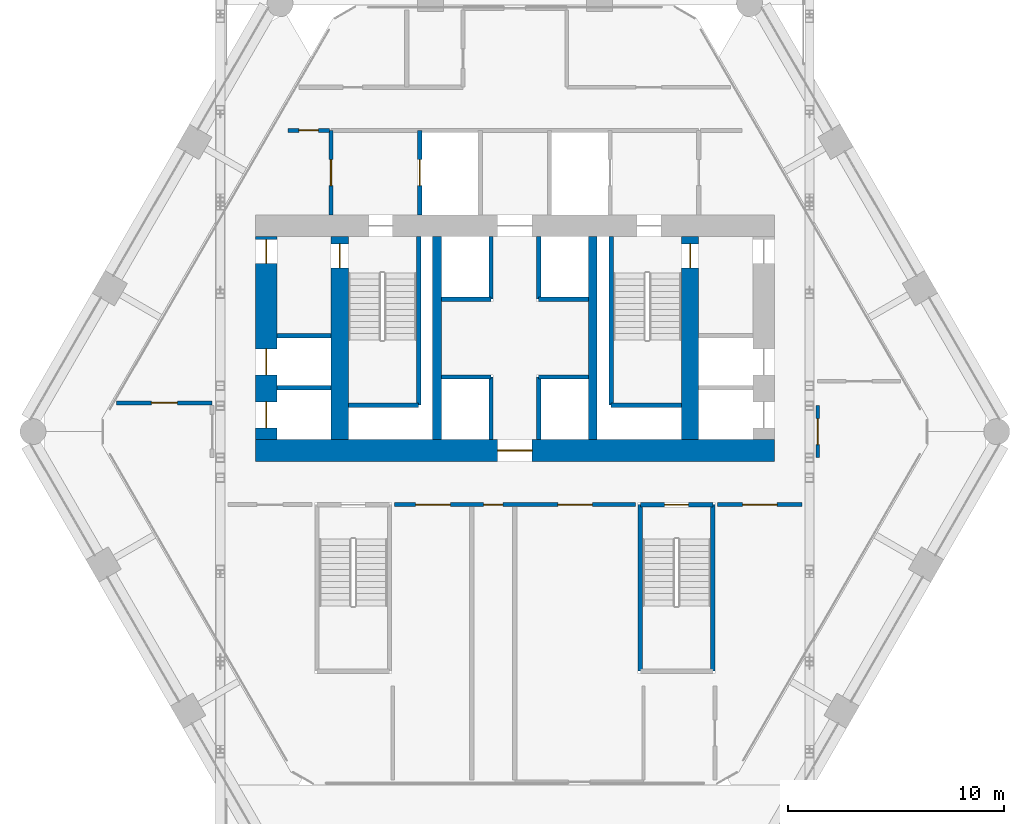
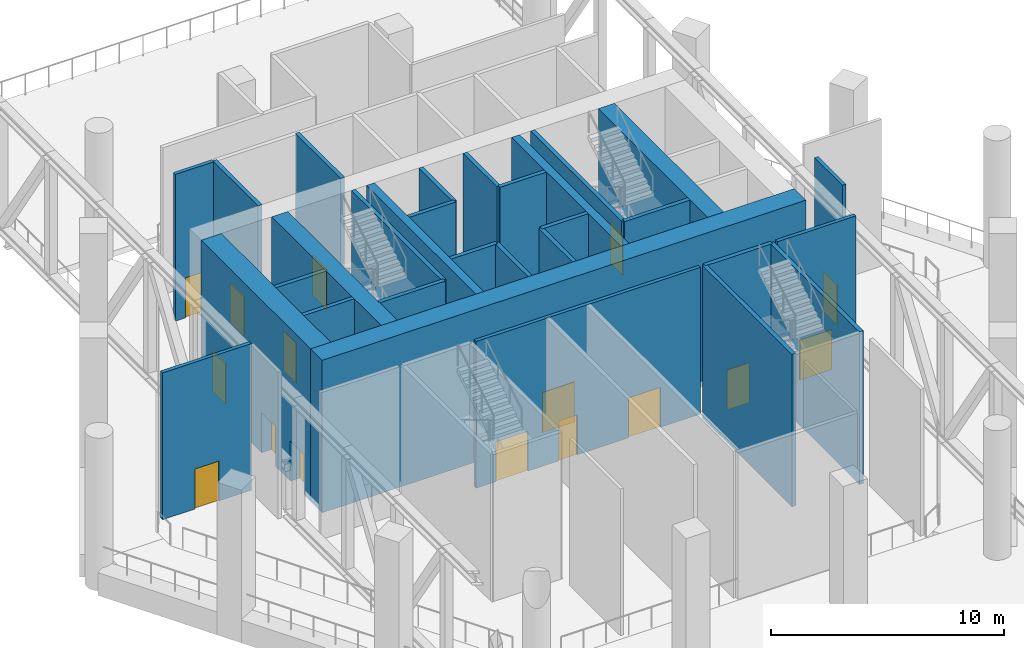
# One storey, part 5 of 16: 30 walls, 16 doors, 16 openings.
"""IFC4 building model written with IfcOpenShell, lengths in metres."""

from ifc_helpers import new_model, si_unit, direction, frame, frame_2d, origin, place, context, subcontext, project, spatial, rectangle, extrude, material, layer, layer_set, type_object, element, fill, save


model = new_model("IFC4")

# Units and contexts
model_context = context("Model", 3, precision=1e-05, world=origin(), true_north=direction((0.0, 1.0)))
body_context = subcontext(model_context, "Body", "Model", "MODEL_VIEW")
ifc_project = project(units=[si_unit("LENGTHUNIT", "METRE"), si_unit("AREAUNIT", "SQUARE_METRE"), si_unit("VOLUMEUNIT", "CUBIC_METRE"), si_unit("PLANEANGLEUNIT", "RADIAN"), si_unit("MASSUNIT", "GRAM", prefix="KILO")], contexts=[model_context])

# Site, building, storey
site_placement = place(None, origin())
site = spatial("IfcSite", under=ifc_project, at=site_placement, CompositionType="ELEMENT")
building_placement = place(site_placement, origin())
building = spatial("IfcBuilding", under=site, at=building_placement, Name="Ostrander Bayou Hotel Tower", CompositionType="ELEMENT")
storey_placement = place(building_placement, frame((0.0, 0.0, 108.0)))
storey = spatial("IfcBuildingStorey", under=building, at=storey_placement, Name="L27", CompositionType="ELEMENT", Elevation=108.0)

# Wall, opening, door
ifc_material_1 = material(Name="Concrete f'c 70 MPa", Category="concrete")
ifc_layer_1 = layer(ifc_material_1, 1.0)
ifc_layer_set_1 = layer_set([ifc_layer_1], Name="CW4 core wall 1000 mm f'c 70 MPa")
wall_type_1 = type_object("IfcWallType", Name="CW4 core wall 1000 mm f'c 70 MPa", PredefinedType="SHEAR", material=ifc_layer_set_1)
wall_1_placement = place(storey_placement, frame((-12.0, -1.199951171875, -0.300048828125), z_axis=(0.0, 0.0, 1.0), x_axis=(1.0, 0.0, 0.0)))
wall_1 = element("IfcWall", 1, at=wall_1_placement, inside=storey, type_object=wall_type_1, Name="CW4 L27 S", PredefinedType="SHEAR", context=body_context, shape_type="SweptSolid", body=[
    extrude(rectangle(XDim=24.0, YDim=1.0, at=frame_2d((12.0, 0.0))), origin(), (0.0, 0.0, 1.0), 8.0),
])
opening_1_placement = place(wall_1_placement, frame((11.199951171875, 0.0, 0.0)))
opening_1 = element("IfcOpeningElement", 2, at=opening_1_placement, cuts=wall_1, Name="Opening T27-001", PredefinedType="OPENING", context=body_context, shape_type="SweptSolid", body=[
    extrude(rectangle(XDim=1.60009765625, YDim=2.10009765625, at=frame_2d((0.800048828125, 1.050048828125))), frame((0.0, 0.5, 0.0), z_axis=(0.0, -1.0, 0.0), x_axis=(1.0, 0.0, 0.0)), (0.0, 0.0, 1.0), 1.0),
])
ifc_material_2 = material(Name="Timber door leaf", Category="wood")
door_type_1 = type_object("IfcDoorType", Name="D13 double door 1600 x 2100 mm, 1 hour", OperationType="SINGLE_SWING_LEFT", PredefinedType="DOOR", material=ifc_material_2)
door_1_placement = place(opening_1_placement, origin())
door_1 = element("IfcDoor", 3, at=door_1_placement, inside=storey, type_object=door_type_1, Name="dr:L27:001", OperationType="DOUBLE_DOOR_SINGLE_SWING", OverallHeight=2.10009765625, OverallWidth=1.60009765625, PredefinedType="DOOR", context=body_context, shape_type="SweptSolid", body=[
    extrude(rectangle(XDim=1.60009765625, YDim=2.10009765625, at=frame_2d((0.800048828125, 1.050048828125))), frame((0.0, 0.02490234375, 0.0), z_axis=(0.0, -1.0, 0.0), x_axis=(1.0, 0.0, 0.0)), (0.0, 0.0, 1.0), 0.050048828125),
])
fill(opening_1, door_1)

# Wall, openings, doors
wall_2_placement = place(storey_placement, frame((-11.5, -0.699951171875, -0.300048828125), z_axis=(0.0, 0.0, 1.0), x_axis=(0.0, 1.0, 0.0)))
wall_2 = element("IfcWall", 4, at=wall_2_placement, inside=storey, type_object=wall_type_1, Name="CW4 L27 RW", PredefinedType="SHEAR", context=body_context, shape_type="SweptSolid", body=[
    extrude(rectangle(XDim=9.39990234375, YDim=1.0, at=frame_2d((4.699951171875, 0.0))), origin(), (0.0, 0.0, 1.0), 8.0),
])
opening_2_placement = place(wall_2_placement, frame((8.14990234375, 0.0, 0.0)))
opening_2 = element("IfcOpeningElement", 5, at=opening_2_placement, cuts=wall_2, Name="Opening T27-013", PredefinedType="OPENING", context=body_context, shape_type="SweptSolid", body=[
    extrude(rectangle(XDim=1.10009765625, YDim=2.10009765625, at=frame_2d((0.550048828125, 1.050048828125))), frame((0.0, 0.5, 0.0), z_axis=(0.0, -1.0, 0.0), x_axis=(1.0, 0.0, 0.0)), (0.0, 0.0, 1.0), 1.0),
])
opening_3_placement = place(wall_2_placement, frame((0.550048828125, 0.0, 0.0)))
opening_3 = element("IfcOpeningElement", 6, at=opening_3_placement, cuts=wall_2, Name="Opening T27-014", PredefinedType="OPENING", context=body_context, shape_type="SweptSolid", body=[
    extrude(rectangle(XDim=1.199951171875, YDim=2.10009765625, at=frame_2d((0.60009765625, 1.050048828125))), frame((0.0, 0.5, 0.0), z_axis=(0.0, -1.0, 0.0), x_axis=(1.0, 0.0, 0.0)), (0.0, 0.0, 1.0), 1.0),
])
opening_4_placement = place(wall_2_placement, frame((3.0, 0.0, 0.0)))
opening_4 = element("IfcOpeningElement", 7, at=opening_4_placement, cuts=wall_2, Name="Opening T27-015", PredefinedType="OPENING", context=body_context, shape_type="SweptSolid", body=[
    extrude(rectangle(XDim=1.199951171875, YDim=2.10009765625, at=frame_2d((0.60009765625, 1.050048828125))), frame((0.0, 0.5, 0.0), z_axis=(0.0, -1.0, 0.0), x_axis=(1.0, 0.0, 0.0)), (0.0, 0.0, 1.0), 1.0),
])
ifc_material_3 = material(Name="Timber door leaf", Category="wood")
door_type_2 = type_object("IfcDoorType", Name="D5 stair door 1100 x 2100 mm, 90 minute", OperationType="SINGLE_SWING_LEFT", PredefinedType="DOOR", material=ifc_material_3)
door_2_placement = place(opening_2_placement, origin())
door_2 = element("IfcDoor", 8, at=door_2_placement, inside=storey, type_object=door_type_2, Name="dr:L27:013", OperationType="SINGLE_SWING_LEFT", OverallHeight=2.10009765625, OverallWidth=1.10009765625, PredefinedType="DOOR", context=body_context, shape_type="SweptSolid", body=[
    extrude(rectangle(XDim=1.10009765625, YDim=2.10009765625, at=frame_2d((0.550048828125, 1.050048828125))), frame((0.0, 0.02490234375, 0.0), z_axis=(0.0, -1.0, 0.0), x_axis=(1.0, 0.0, 0.0)), (0.0, 0.0, 1.0), 0.050048828125),
])
fill(opening_2, door_2)
ifc_material_4 = material(Name="Stainless steel sliding door", Category="steel")
door_type_3 = type_object("IfcDoorType", Name="LD1 lift landing door 1200 x 2100 mm", OperationType="SINGLE_SWING_LEFT", PredefinedType="DOOR", material=ifc_material_4)
door_3_placement = place(opening_3_placement, origin())
door_3 = element("IfcDoor", 9, at=door_3_placement, inside=storey, type_object=door_type_3, Name="dr:L27:014", OperationType="SLIDING_TO_LEFT", OverallHeight=2.10009765625, OverallWidth=1.199951171875, PredefinedType="DOOR", context=body_context, shape_type="SweptSolid", body=[
    extrude(rectangle(XDim=1.199951171875, YDim=2.10009765625, at=frame_2d((0.60009765625, 1.050048828125))), frame((0.0, 0.02490234375, 0.0), z_axis=(0.0, -1.0, 0.0), x_axis=(1.0, 0.0, 0.0)), (0.0, 0.0, 1.0), 0.050048828125),
])
fill(opening_3, door_3)
door_4_placement = place(opening_4_placement, origin())
door_4 = element("IfcDoor", 10, at=door_4_placement, inside=storey, type_object=door_type_3, Name="dr:L27:015", OperationType="SLIDING_TO_LEFT", OverallHeight=2.10009765625, OverallWidth=1.199951171875, PredefinedType="DOOR", context=body_context, shape_type="SweptSolid", body=[
    extrude(rectangle(XDim=1.199951171875, YDim=2.10009765625, at=frame_2d((0.60009765625, 1.050048828125))), frame((0.0, 0.02490234375, 0.0), z_axis=(0.0, -1.0, 0.0), x_axis=(1.0, 0.0, 0.0)), (0.0, 0.0, 1.0), 0.050048828125),
])
fill(opening_4, door_4)

# Wall, opening, door
ifc_material_5 = material(Name="Concrete f'c 70 MPa", Category="concrete")
ifc_layer_2 = layer(ifc_material_5, 0.800048828125)
ifc_layer_set_2 = layer_set([ifc_layer_2], Name="CW5 core spine wall 800 mm f'c 70 MPa")
wall_type_2 = type_object("IfcWallType", Name="CW5 core spine wall 800 mm f'c 70 MPa", PredefinedType="SHEAR", material=ifc_layer_set_2)
wall_3_placement = place(storey_placement, frame((-8.10009765625, -0.699951171875, -0.300048828125), z_axis=(0.0, 0.0, 1.0), x_axis=(0.0, 1.0, 0.0)))
wall_3 = element("IfcWall", 11, at=wall_3_placement, inside=storey, type_object=wall_type_2, Name="CW5 L27 W", PredefinedType="SHEAR", context=body_context, shape_type="SweptSolid", body=[
    extrude(rectangle(XDim=9.39990234375, YDim=0.800048828125, at=frame_2d((4.699951171875, 0.0))), origin(), (0.0, 0.0, 1.0), 8.0),
])
opening_5_placement = place(wall_3_placement, frame((7.949951171875, 0.0, 0.0)))
opening_5 = element("IfcOpeningElement", 12, at=opening_5_placement, cuts=wall_3, Name="Opening T27-004", PredefinedType="OPENING", context=body_context, shape_type="SweptSolid", body=[
    extrude(rectangle(XDim=1.10009765625, YDim=2.10009765625, at=frame_2d((0.550048828125, 1.050048828125))), frame((0.0, 0.39990234375, 0.0), z_axis=(0.0, -1.0, 0.0), x_axis=(1.0, 0.0, 0.0)), (0.0, 0.0, 1.0), 0.800048828125),
])
door_5_placement = place(opening_5_placement, origin())
door_5 = element("IfcDoor", 13, at=door_5_placement, inside=storey, type_object=door_type_2, Name="dr:L27:004", OperationType="SINGLE_SWING_RIGHT", OverallHeight=2.10009765625, OverallWidth=1.10009765625, PredefinedType="DOOR", context=body_context, shape_type="SweptSolid", body=[
    extrude(rectangle(XDim=1.10009765625, YDim=2.10009765625, at=frame_2d((0.550048828125, 1.050048828125))), frame((0.0, 0.02490234375, 0.0), z_axis=(0.0, -1.0, 0.0), x_axis=(1.0, 0.0, 0.0)), (0.0, 0.0, 1.0), 0.050048828125),
])
fill(opening_5, door_5)

wall_4_placement = place(storey_placement, frame((8.10009765625, -0.699951171875, -0.300048828125), z_axis=(0.0, 0.0, 1.0), x_axis=(0.0, 1.0, 0.0)))
wall_4 = element("IfcWall", 14, at=wall_4_placement, inside=storey, type_object=wall_type_2, Name="CW5 L27 E", PredefinedType="SHEAR", context=body_context, shape_type="SweptSolid", body=[
    extrude(rectangle(XDim=9.39990234375, YDim=0.800048828125, at=frame_2d((4.699951171875, 0.0))), origin(), (0.0, 0.0, 1.0), 8.0),
])
opening_6_placement = place(wall_4_placement, frame((7.949951171875, 0.0, 0.0)))
opening_6 = element("IfcOpeningElement", 15, at=opening_6_placement, cuts=wall_4, Name="Opening T27-006", PredefinedType="OPENING", context=body_context, shape_type="SweptSolid", body=[
    extrude(rectangle(XDim=1.10009765625, YDim=2.10009765625, at=frame_2d((0.550048828125, 1.050048828125))), frame((0.0, 0.39990234375, 0.0), z_axis=(0.0, -1.0, 0.0), x_axis=(1.0, 0.0, 0.0)), (0.0, 0.0, 1.0), 0.800048828125),
])
door_6_placement = place(opening_6_placement, origin())
door_6 = element("IfcDoor", 16, at=door_6_placement, inside=storey, type_object=door_type_2, Name="dr:L27:006", OperationType="SINGLE_SWING_LEFT", OverallHeight=2.10009765625, OverallWidth=1.10009765625, PredefinedType="DOOR", context=body_context, shape_type="SweptSolid", body=[
    extrude(rectangle(XDim=1.10009765625, YDim=2.10009765625, at=frame_2d((0.550048828125, 1.050048828125))), frame((0.0, 0.02490234375, 0.0), z_axis=(0.0, -1.0, 0.0), x_axis=(1.0, 0.0, 0.0)), (0.0, 0.0, 1.0), 0.050048828125),
])
fill(opening_6, door_6)

# Walls
ifc_material_6 = material(Name="Concrete f'c 70 MPa", Category="concrete")
ifc_layer_3 = layer(ifc_material_6, 0.39990234375)
ifc_layer_set_3 = layer_set([ifc_layer_3], Name="CW6 core bank wall 400 mm f'c 70 MPa")
wall_type_3 = type_object("IfcWallType", Name="CW6 core bank wall 400 mm f'c 70 MPa", PredefinedType="SHEAR", material=ifc_layer_set_3)
for number, where, z_axis, x_axis, name in (
    (17, (-3.60009765625, -0.699951171875, -0.300048828125), (0.0, 0.0, 1.0), (0.0, 1.0, 0.0), "CW6 L27 CW"),
    (18, (3.60009765625, -0.699951171875, -0.300048828125), (0.0, 0.0, 1.0), (0.0, 1.0, 0.0), "CW6 L27 CE"),
):
    element("IfcWall", number, at=place(storey_placement, frame(where, z_axis=z_axis, x_axis=x_axis)), inside=storey, type_object=wall_type_3, Name=name, PredefinedType="SHEAR", context=body_context, shape_type="SweptSolid", body=[
        extrude(rectangle(XDim=9.39990234375, YDim=0.39990234375, at=frame_2d((4.699951171875, 0.0))), origin(), (0.0, 0.0, 1.0), 8.0),
    ])

# Wall, openings, doors
ifc_material_7 = material(Name="Gypsum board partition", Category="finish")
ifc_layer_4 = layer(ifc_material_7, 0.175048828125)
ifc_layer_set_4 = layer_set([ifc_layer_4], Name="PT4 corridor wall 175 mm, 1 hour")
wall_type_4 = type_object("IfcWallType", Name="PT4 corridor wall 175 mm, 1 hour", PredefinedType="PARTITIONING", material=ifc_layer_set_4)
wall_5_placement = place(storey_placement, frame((-5.570068359375, -3.699951171875, 0.0), z_axis=(0.0, 0.0, 1.0), x_axis=(1.0, 0.0, 0.0)))
wall_5 = element("IfcWall", 19, at=wall_5_placement, inside=storey, type_object=wall_type_4, Name="sw:L27:002", PredefinedType="PARTITIONING", context=body_context, shape_type="SweptSolid", body=[
    extrude(rectangle(XDim=11.14013671875, YDim=0.175048828125, at=frame_2d((5.570068359375, 0.0))), origin(), (0.0, 0.0, 1.0), 7.699951171875),
])
opening_7_placement = place(wall_5_placement, frame((0.985107421875, 0.0, 0.0)))
opening_7 = element("IfcOpeningElement", 20, at=opening_7_placement, cuts=wall_5, Name="Opening T27-202", PredefinedType="OPENING", context=body_context, shape_type="SweptSolid", body=[
    extrude(rectangle(XDim=1.60009765625, YDim=2.10009765625, at=frame_2d((0.800048828125, 1.050048828125))), frame((0.0, 0.08740234375, 0.0), z_axis=(0.0, -1.0, 0.0), x_axis=(1.0, 0.0, 0.0)), (0.0, 0.0, 1.0), 0.175048828125),
])
opening_8_placement = place(wall_5_placement, frame((4.1201171875, 0.0, 0.0)))
opening_8 = element("IfcOpeningElement", 21, at=opening_8_placement, cuts=wall_5, Name="Opening T27-203", PredefinedType="OPENING", context=body_context, shape_type="SweptSolid", body=[
    extrude(rectangle(XDim=0.89990234375, YDim=2.10009765625, at=frame_2d((0.449951171875, 1.050048828125))), frame((0.0, 0.08740234375, 0.0), z_axis=(0.0, -1.0, 0.0), x_axis=(1.0, 0.0, 0.0)), (0.0, 0.0, 1.0), 0.175048828125),
])
opening_9_placement = place(wall_5_placement, frame((7.554931640625, 0.0, 0.0)))
opening_9 = element("IfcOpeningElement", 22, at=opening_9_placement, cuts=wall_5, Name="Opening T27-204", PredefinedType="OPENING", context=body_context, shape_type="SweptSolid", body=[
    extrude(rectangle(XDim=1.60009765625, YDim=2.10009765625, at=frame_2d((0.800048828125, 1.050048828125))), frame((0.0, 0.08740234375, 0.0), z_axis=(0.0, -1.0, 0.0), x_axis=(1.0, 0.0, 0.0)), (0.0, 0.0, 1.0), 0.175048828125),
])
door_7_placement = place(opening_7_placement, origin())
door_7 = element("IfcDoor", 23, at=door_7_placement, inside=storey, type_object=door_type_1, Name="dr:L27:202", OperationType="DOUBLE_DOOR_SINGLE_SWING", OverallHeight=2.10009765625, OverallWidth=1.60009765625, PredefinedType="DOOR", context=body_context, shape_type="SweptSolid", body=[
    extrude(rectangle(XDim=1.60009765625, YDim=2.10009765625, at=frame_2d((0.800048828125, 1.050048828125))), frame((0.0, 0.02490234375, 0.0), z_axis=(0.0, -1.0, 0.0), x_axis=(1.0, 0.0, 0.0)), (0.0, 0.0, 1.0), 0.050048828125),
])
fill(opening_7, door_7)
door_8_placement = place(opening_9_placement, origin())
door_8 = element("IfcDoor", 24, at=door_8_placement, inside=storey, type_object=door_type_1, Name="dr:L27:204", OperationType="DOUBLE_DOOR_SINGLE_SWING", OverallHeight=2.10009765625, OverallWidth=1.60009765625, PredefinedType="DOOR", context=body_context, shape_type="SweptSolid", body=[
    extrude(rectangle(XDim=1.60009765625, YDim=2.10009765625, at=frame_2d((0.800048828125, 1.050048828125))), frame((0.0, 0.02490234375, 0.0), z_axis=(0.0, -1.0, 0.0), x_axis=(1.0, 0.0, 0.0)), (0.0, 0.0, 1.0), 0.050048828125),
])
fill(opening_9, door_8)
ifc_material_8 = material(Name="Timber door leaf", Category="wood")
door_type_4 = type_object("IfcDoorType", Name="D8 room door 900 x 2100 mm", OperationType="SINGLE_SWING_LEFT", PredefinedType="DOOR", material=ifc_material_8)
door_9_placement = place(opening_8_placement, origin())
door_9 = element("IfcDoor", 25, at=door_9_placement, inside=storey, type_object=door_type_4, Name="dr:L27:203", OperationType="SINGLE_SWING_LEFT", OverallHeight=2.10009765625, OverallWidth=0.89990234375, PredefinedType="DOOR", context=body_context, shape_type="SweptSolid", body=[
    extrude(rectangle(XDim=0.89990234375, YDim=2.10009765625, at=frame_2d((0.449951171875, 1.050048828125))), frame((0.0, 0.02490234375, 0.0), z_axis=(0.0, -1.0, 0.0), x_axis=(1.0, 0.0, 0.0)), (0.0, 0.0, 1.0), 0.050048828125),
])
fill(opening_8, door_9)

# Wall, opening, door
wall_6_placement = place(storey_placement, frame((9.3798828125, -3.699951171875, 0.0), z_axis=(0.0, 0.0, 1.0), x_axis=(1.0, 0.0, 0.0)))
wall_6 = element("IfcWall", 26, at=wall_6_placement, inside=storey, type_object=wall_type_4, Name="sw:L27:003", PredefinedType="PARTITIONING", context=body_context, shape_type="SweptSolid", body=[
    extrude(rectangle(XDim=3.89111328125, YDim=0.175048828125, at=frame_2d((1.945556640625, 0.0))), origin(), (0.0, 0.0, 1.0), 7.699951171875),
])
opening_10_placement = place(wall_6_placement, frame((1.1455078125, 0.0, 0.0)))
opening_10 = element("IfcOpeningElement", 27, at=opening_10_placement, cuts=wall_6, Name="Opening T27-206", PredefinedType="OPENING", context=body_context, shape_type="SweptSolid", body=[
    extrude(rectangle(XDim=1.60009765625, YDim=2.10009765625, at=frame_2d((0.800048828125, 1.050048828125))), frame((0.0, 0.08740234375, 0.0), z_axis=(0.0, -1.0, 0.0), x_axis=(1.0, 0.0, 0.0)), (0.0, 0.0, 1.0), 0.175048828125),
])
door_10_placement = place(opening_10_placement, origin())
door_10 = element("IfcDoor", 28, at=door_10_placement, inside=storey, type_object=door_type_1, Name="dr:L27:206", OperationType="DOUBLE_DOOR_SINGLE_SWING", OverallHeight=2.10009765625, OverallWidth=1.60009765625, PredefinedType="DOOR", context=body_context, shape_type="SweptSolid", body=[
    extrude(rectangle(XDim=1.60009765625, YDim=2.10009765625, at=frame_2d((0.800048828125, 1.050048828125))), frame((0.0, 0.02490234375, 0.0), z_axis=(0.0, -1.0, 0.0), x_axis=(1.0, 0.0, 0.0)), (0.0, 0.0, 1.0), 0.050048828125),
])
fill(opening_10, door_10)

wall_7_placement = place(storey_placement, frame((-18.408935546875, 1.0, 0.0), z_axis=(0.0, 0.0, 1.0), x_axis=(1.0, 0.0, 0.0)))
wall_7 = element("IfcWall", 29, at=wall_7_placement, inside=storey, type_object=wall_type_4, Name="sw:L27:004", PredefinedType="PARTITIONING", context=body_context, shape_type="SweptSolid", body=[
    extrude(rectangle(XDim=4.408935546875, YDim=0.175048828125, at=frame_2d((2.20458984375, 0.0))), origin(), (0.0, 0.0, 1.0), 7.699951171875),
])
opening_11_placement = place(wall_7_placement, frame((1.6044921875, 0.0, 0.0)))
opening_11 = element("IfcOpeningElement", 30, at=opening_11_placement, cuts=wall_7, Name="Opening T27-208", PredefinedType="OPENING", context=body_context, shape_type="SweptSolid", body=[
    extrude(rectangle(XDim=1.199951171875, YDim=2.10009765625, at=frame_2d((0.60009765625, 1.050048828125))), frame((0.0, 0.08740234375, 0.0), z_axis=(0.0, -1.0, 0.0), x_axis=(1.0, 0.0, 0.0)), (0.0, 0.0, 1.0), 0.175048828125),
])
ifc_material_9 = material(Name="Timber door leaf", Category="wood")
door_type_5 = type_object("IfcDoorType", Name="D10 plant room door 1200 x 2100 mm, 1 hour", OperationType="SINGLE_SWING_LEFT", PredefinedType="DOOR", material=ifc_material_9)
door_11_placement = place(opening_11_placement, origin())
door_11 = element("IfcDoor", 31, at=door_11_placement, inside=storey, type_object=door_type_5, Name="dr:L27:208", OperationType="SINGLE_SWING_RIGHT", OverallHeight=2.10009765625, OverallWidth=1.199951171875, PredefinedType="DOOR", context=body_context, shape_type="SweptSolid", body=[
    extrude(rectangle(XDim=1.199951171875, YDim=2.10009765625, at=frame_2d((0.60009765625, 1.050048828125))), frame((0.0, 0.02490234375, 0.0), z_axis=(0.0, -1.0, 0.0), x_axis=(1.0, 0.0, 0.0)), (0.0, 0.0, 1.0), 0.050048828125),
])
fill(opening_11, door_11)

wall_8_placement = place(storey_placement, frame((-10.5, 13.60009765625, 0.0), z_axis=(0.0, 0.0, 1.0), x_axis=(1.0, 0.0, 0.0)))
wall_8 = element("IfcWall", 32, at=wall_8_placement, inside=storey, type_object=wall_type_4, Name="sw:L27:005", PredefinedType="PARTITIONING", context=body_context, shape_type="SweptSolid", body=[
    extrude(rectangle(XDim=1.919921875, YDim=0.175048828125, at=frame_2d((0.9599609375, 0.0))), origin(), (0.0, 0.0, 1.0), 7.699951171875),
])
opening_12_placement = place(wall_8_placement, frame((0.510009765625, 0.0, 0.0)))
opening_12 = element("IfcOpeningElement", 33, at=opening_12_placement, cuts=wall_8, Name="Opening T27-200", PredefinedType="OPENING", context=body_context, shape_type="SweptSolid", body=[
    extrude(rectangle(XDim=0.89990234375, YDim=2.10009765625, at=frame_2d((0.449951171875, 1.050048828125))), frame((0.0, 0.08740234375, 0.0), z_axis=(0.0, -1.0, 0.0), x_axis=(1.0, 0.0, 0.0)), (0.0, 0.0, 1.0), 0.175048828125),
])
door_12_placement = place(opening_12_placement, origin())
door_12 = element("IfcDoor", 34, at=door_12_placement, inside=storey, type_object=door_type_4, Name="dr:L27:200", OperationType="SINGLE_SWING_RIGHT", OverallHeight=2.10009765625, OverallWidth=0.89990234375, PredefinedType="DOOR", context=body_context, shape_type="SweptSolid", body=[
    extrude(rectangle(XDim=0.89990234375, YDim=2.10009765625, at=frame_2d((0.449951171875, 1.050048828125))), frame((0.0, 0.02490234375, 0.0), z_axis=(0.0, -1.0, 0.0), x_axis=(1.0, 0.0, 0.0)), (0.0, 0.0, 1.0), 0.050048828125),
])
fill(opening_12, door_12)

wall_9_placement = place(storey_placement, frame((14.0, -1.52734375, 0.0), z_axis=(0.0, 0.0, 1.0), x_axis=(0.0, 1.0, 0.0)))
wall_9 = element("IfcWall", 35, at=wall_9_placement, inside=storey, type_object=wall_type_4, Name="sw:L27:009", PredefinedType="PARTITIONING", context=body_context, shape_type="SweptSolid", body=[
    extrude(rectangle(XDim=2.400146484375, YDim=0.175048828125, at=frame_2d((1.2001953125, 0.0))), origin(), (0.0, 0.0, 1.0), 7.699951171875),
])
opening_13_placement = place(wall_9_placement, frame((0.60009765625, 0.0, 0.0)))
opening_13 = element("IfcOpeningElement", 36, at=opening_13_placement, cuts=wall_9, Name="Opening T27-209", PredefinedType="OPENING", context=body_context, shape_type="SweptSolid", body=[
    extrude(rectangle(XDim=1.199951171875, YDim=2.10009765625, at=frame_2d((0.60009765625, 1.050048828125))), frame((0.0, 0.08740234375, 0.0), z_axis=(0.0, -1.0, 0.0), x_axis=(1.0, 0.0, 0.0)), (0.0, 0.0, 1.0), 0.175048828125),
])
door_13_placement = place(opening_13_placement, origin())
door_13 = element("IfcDoor", 37, at=door_13_placement, inside=storey, type_object=door_type_5, Name="dr:L27:209", OperationType="SINGLE_SWING_LEFT", OverallHeight=2.10009765625, OverallWidth=1.199951171875, PredefinedType="DOOR", context=body_context, shape_type="SweptSolid", body=[
    extrude(rectangle(XDim=1.199951171875, YDim=2.10009765625, at=frame_2d((0.60009765625, 1.050048828125))), frame((0.0, 0.02490234375, 0.0), z_axis=(0.0, -1.0, 0.0), x_axis=(1.0, 0.0, 0.0)), (0.0, 0.0, 1.0), 0.050048828125),
])
fill(opening_13, door_13)

ifc_material_10 = material(Name="Masonry block", Category="masonry")
ifc_layer_5 = layer(ifc_material_10, 0.199951171875)
ifc_layer_set_5 = layer_set([ifc_layer_5], Name="PT5 stair enclosure wall 200 mm masonry, 2 hour")
wall_type_5 = type_object("IfcWallType", Name="PT5 stair enclosure wall 200 mm masonry, 2 hour", PredefinedType="PARTITIONING", material=ifc_layer_set_5)
wall_10_placement = place(storey_placement, frame((-8.5, 9.699951171875, 0.0), z_axis=(0.0, 0.0, 1.0), x_axis=(0.0, 1.0, 0.0)))
wall_10 = element("IfcWall", 38, at=wall_10_placement, inside=storey, type_object=wall_type_5, Name="cs:L27:022", PredefinedType="PARTITIONING", context=body_context, shape_type="SweptSolid", body=[
    extrude(rectangle(XDim=3.900146484375, YDim=0.199951171875, at=frame_2d((1.9501953125, 0.0))), origin(), (0.0, 0.0, 1.0), 7.699951171875),
])
opening_14_placement = place(wall_10_placement, frame((1.35009765625, 0.0, 0.0)))
opening_14 = element("IfcOpeningElement", 39, at=opening_14_placement, cuts=wall_10, Name="Opening T27-010", PredefinedType="OPENING", context=body_context, shape_type="SweptSolid", body=[
    extrude(rectangle(XDim=1.199951171875, YDim=2.10009765625, at=frame_2d((0.60009765625, 1.050048828125))), frame((0.0, 0.10009765625, 0.0), z_axis=(0.0, -1.0, 0.0), x_axis=(1.0, 0.0, 0.0)), (0.0, 0.0, 1.0), 0.199951171875),
])
ifc_material_11 = material(Name="Timber door leaf", Category="wood")
door_type_6 = type_object("IfcDoorType", Name="D7 lobby door 1200 x 2100 mm, 1 hour", OperationType="SINGLE_SWING_LEFT", PredefinedType="DOOR", material=ifc_material_11)
door_14_placement = place(opening_14_placement, origin())
door_14 = element("IfcDoor", 40, at=door_14_placement, inside=storey, type_object=door_type_6, Name="dr:L27:010", OperationType="SINGLE_SWING_LEFT", OverallHeight=2.10009765625, OverallWidth=1.199951171875, PredefinedType="DOOR", context=body_context, shape_type="SweptSolid", body=[
    extrude(rectangle(XDim=1.199951171875, YDim=2.10009765625, at=frame_2d((0.60009765625, 1.050048828125))), frame((0.0, 0.02490234375, 0.0), z_axis=(0.0, -1.0, 0.0), x_axis=(1.0, 0.0, 0.0)), (0.0, 0.0, 1.0), 0.050048828125),
])
fill(opening_14, door_14)

wall_11_placement = place(storey_placement, frame((-4.39990234375, 9.699951171875, 0.0), z_axis=(0.0, 0.0, 1.0), x_axis=(0.0, 1.0, 0.0)))
wall_11 = element("IfcWall", 41, at=wall_11_placement, inside=storey, type_object=wall_type_5, Name="cs:L27:024", PredefinedType="PARTITIONING", context=body_context, shape_type="SweptSolid", body=[
    extrude(rectangle(XDim=3.900146484375, YDim=0.199951171875, at=frame_2d((1.9501953125, 0.0))), origin(), (0.0, 0.0, 1.0), 7.699951171875),
])
opening_15_placement = place(wall_11_placement, frame((1.35009765625, 0.0, 0.0)))
opening_15 = element("IfcOpeningElement", 42, at=opening_15_placement, cuts=wall_11, Name="Opening T27-009", PredefinedType="OPENING", context=body_context, shape_type="SweptSolid", body=[
    extrude(rectangle(XDim=1.199951171875, YDim=2.10009765625, at=frame_2d((0.60009765625, 1.050048828125))), frame((0.0, 0.10009765625, 0.0), z_axis=(0.0, -1.0, 0.0), x_axis=(1.0, 0.0, 0.0)), (0.0, 0.0, 1.0), 0.199951171875),
])
door_15_placement = place(opening_15_placement, origin())
door_15 = element("IfcDoor", 43, at=door_15_placement, inside=storey, type_object=door_type_3, Name="dr:L27:009", OperationType="SLIDING_TO_LEFT", OverallHeight=2.10009765625, OverallWidth=1.199951171875, PredefinedType="DOOR", context=body_context, shape_type="SweptSolid", body=[
    extrude(rectangle(XDim=1.199951171875, YDim=2.10009765625, at=frame_2d((0.60009765625, 1.050048828125))), frame((0.0, 0.02490234375, 0.0), z_axis=(0.0, -1.0, 0.0), x_axis=(1.0, 0.0, 0.0)), (0.0, 0.0, 1.0), 0.050048828125),
])
fill(opening_15, door_15)

# Walls
ifc_material_12 = material(Name="Masonry block", Category="masonry")
ifc_layer_6 = layer(ifc_material_12, 0.199951171875)
ifc_layer_set_6 = layer_set([ifc_layer_6], Name="PT6 lift shaft wall 200 mm masonry, 2 hour")
wall_type_6 = type_object("IfcWallType", Name="PT6 lift shaft wall 200 mm masonry, 2 hour", PredefinedType="PARTITIONING", material=ifc_layer_set_6)
for number, where, z_axis, x_axis, name in (
    (44, (-3.39990234375, 2.199951171875, 0.0), (0.0, 0.0, 1.0), (1.0, 0.0, 0.0), "cs:L27:001"),
    (45, (-3.39990234375, 5.800048828125, 0.0), (0.0, 0.0, 1.0), (1.0, 0.0, 0.0), "cs:L27:002"),
    (46, (1.10009765625, 2.199951171875, 0.0), (0.0, 0.0, 1.0), (1.0, 0.0, 0.0), "cs:L27:003"),
    (47, (1.10009765625, 5.800048828125, 0.0), (0.0, 0.0, 1.0), (1.0, 0.0, 0.0), "cs:L27:004"),
):
    element("IfcWall", number, at=place(storey_placement, frame(where, z_axis=z_axis, x_axis=x_axis)), inside=storey, type_object=wall_type_6, Name=name, PredefinedType="PARTITIONING", context=body_context, shape_type="SweptSolid", body=[
        extrude(rectangle(XDim=2.2998046875, YDim=0.199951171875, at=frame_2d((1.14990234375, 0.0))), origin(), (0.0, 0.0, 1.0), 7.699951171875),
    ])
for number, where, z_axis, x_axis, name in (
    (48, (-1.10009765625, -0.699951171875, 0.0), (0.0, 0.0, 1.0), (0.0, 1.0, 0.0), "cs:L27:005"),
    (49, (1.10009765625, -0.699951171875, 0.0), (0.0, 0.0, 1.0), (0.0, 1.0, 0.0), "cs:L27:006"),
    (50, (-1.10009765625, 5.800048828125, 0.0), (0.0, 0.0, 1.0), (0.0, 1.0, 0.0), "cs:L27:007"),
    (51, (1.10009765625, 5.800048828125, 0.0), (0.0, 0.0, 1.0), (0.0, 1.0, 0.0), "cs:L27:008"),
):
    element("IfcWall", number, at=place(storey_placement, frame(where, z_axis=z_axis, x_axis=x_axis)), inside=storey, type_object=wall_type_6, Name=name, PredefinedType="PARTITIONING", context=body_context, shape_type="SweptSolid", body=[
        extrude(rectangle(XDim=2.89990234375, YDim=0.199951171875, at=frame_2d((1.449951171875, 0.0))), origin(), (0.0, 0.0, 1.0), 7.699951171875),
    ])
for number, where, z_axis, x_axis, name in (
    (52, (-11.0, 1.699951171875, 0.0), (0.0, 0.0, 1.0), (1.0, 0.0, 0.0), "cs:L27:028"),
    (53, (-11.0, 4.10009765625, 0.0), (0.0, 0.0, 1.0), (1.0, 0.0, 0.0), "cs:L27:029"),
):
    element("IfcWall", number, at=place(storey_placement, frame(where, z_axis=z_axis, x_axis=x_axis)), inside=storey, type_object=wall_type_6, Name=name, PredefinedType="PARTITIONING", context=body_context, shape_type="SweptSolid", body=[
        extrude(rectangle(XDim=2.5, YDim=0.199951171875, at=frame_2d((1.25, 0.0))), origin(), (0.0, 0.0, 1.0), 7.699951171875),
    ])
ifc_material_13 = material(Name="Concrete f'c 45 MPa", Category="concrete")
ifc_layer_7 = layer(ifc_material_13, 0.199951171875)
ifc_layer_set_7 = layer_set([ifc_layer_7], Name="SW5 stair enclosure wall 200 mm f'c 45 MPa")
wall_type_7 = type_object("IfcWallType", Name="SW5 stair enclosure wall 200 mm f'c 45 MPa", PredefinedType="SOLIDWALL", material=ifc_layer_set_7)
wall_12_placement = place(storey_placement, frame((-4.449951171875, 0.89990234375, -0.300048828125), z_axis=(0.0, 0.0, 1.0), x_axis=(0.0, 1.0, 0.0)))
element("IfcWall", 54, at=wall_12_placement, inside=storey, type_object=wall_type_7, Name="cs:L27:009", PredefinedType="SOLIDWALL", context=body_context, shape_type="SweptSolid", body=[
    extrude(rectangle(XDim=7.800048828125, YDim=0.199951171875, at=frame_2d((3.89990234375, 0.0))), origin(), (0.0, 0.0, 1.0), 8.0),
])
wall_13_placement = place(storey_placement, frame((-7.699951171875, 0.89990234375, -0.300048828125), z_axis=(0.0, 0.0, 1.0), x_axis=(1.0, 0.0, 0.0)))
element("IfcWall", 55, at=wall_13_placement, inside=storey, type_object=wall_type_7, Name="cs:L27:010", PredefinedType="SOLIDWALL", context=body_context, shape_type="SweptSolid", body=[
    extrude(rectangle(XDim=3.25, YDim=0.199951171875, at=frame_2d((1.625, 0.0))), origin(), (0.0, 0.0, 1.0), 8.0),
])
wall_14_placement = place(storey_placement, frame((4.449951171875, 0.89990234375, -0.300048828125), z_axis=(0.0, 0.0, 1.0), x_axis=(0.0, 1.0, 0.0)))
element("IfcWall", 56, at=wall_14_placement, inside=storey, type_object=wall_type_7, Name="cs:L27:011", PredefinedType="SOLIDWALL", context=body_context, shape_type="SweptSolid", body=[
    extrude(rectangle(XDim=7.800048828125, YDim=0.199951171875, at=frame_2d((3.89990234375, 0.0))), origin(), (0.0, 0.0, 1.0), 8.0),
])
wall_15_placement = place(storey_placement, frame((4.449951171875, 0.89990234375, -0.300048828125), z_axis=(0.0, 0.0, 1.0), x_axis=(1.0, 0.0, 0.0)))
element("IfcWall", 57, at=wall_15_placement, inside=storey, type_object=wall_type_7, Name="cs:L27:012", PredefinedType="SOLIDWALL", context=body_context, shape_type="SweptSolid", body=[
    extrude(rectangle(XDim=3.25, YDim=0.199951171875, at=frame_2d((1.625, 0.0))), origin(), (0.0, 0.0, 1.0), 8.0),
])

# Wall, opening, door
wall_16_placement = place(storey_placement, frame((5.800048828125, -3.699951171875, -0.300048828125), z_axis=(0.0, 0.0, 1.0), x_axis=(1.0, 0.0, 0.0)))
wall_16 = element("IfcWall", 58, at=wall_16_placement, inside=storey, type_object=wall_type_7, Name="cs:L27:013", PredefinedType="SOLIDWALL", context=body_context, shape_type="SweptSolid", body=[
    extrude(rectangle(XDim=3.349853515625, YDim=0.199951171875, at=frame_2d((1.6748046875, 0.0))), origin(), (0.0, 0.0, 1.0), 8.0),
])
opening_16_placement = place(wall_16_placement, frame((1.125, 0.0, 0.0)))
opening_16 = element("IfcOpeningElement", 59, at=opening_16_placement, cuts=wall_16, Name="Opening T27-007", PredefinedType="OPENING", context=body_context, shape_type="SweptSolid", body=[
    extrude(rectangle(XDim=1.10009765625, YDim=2.10009765625, at=frame_2d((0.550048828125, 1.050048828125))), frame((0.0, 0.10009765625, 0.0), z_axis=(0.0, -1.0, 0.0), x_axis=(1.0, 0.0, 0.0)), (0.0, 0.0, 1.0), 0.199951171875),
])
door_16_placement = place(opening_16_placement, origin())
door_16 = element("IfcDoor", 60, at=door_16_placement, inside=storey, type_object=door_type_2, Name="dr:L27:007", OperationType="SINGLE_SWING_LEFT", OverallHeight=2.10009765625, OverallWidth=1.10009765625, PredefinedType="DOOR", context=body_context, shape_type="SweptSolid", body=[
    extrude(rectangle(XDim=1.10009765625, YDim=2.10009765625, at=frame_2d((0.550048828125, 1.050048828125))), frame((0.0, 0.02490234375, 0.0), z_axis=(0.0, -1.0, 0.0), x_axis=(1.0, 0.0, 0.0)), (0.0, 0.0, 1.0), 0.050048828125),
])
fill(opening_16, door_16)

# Walls
for number, where, z_axis, x_axis, name in (
    (61, (5.800048828125, -3.699951171875, -0.300048828125), (0.0, 0.0, 1.0), (0.0, -1.0, 0.0), "cs:L27:014"),
    (62, (9.14990234375, -3.699951171875, -0.300048828125), (0.0, 0.0, 1.0), (0.0, -1.0, 0.0), "cs:L27:015"),
):
    element("IfcWall", number, at=place(storey_placement, frame(where, z_axis=z_axis, x_axis=x_axis)), inside=storey, type_object=wall_type_7, Name=name, PredefinedType="SOLIDWALL", context=body_context, shape_type="SweptSolid", body=[
        extrude(rectangle(XDim=7.699951171875, YDim=0.199951171875, at=frame_2d((3.85009765625, 0.0))), origin(), (0.0, 0.0, 1.0), 8.0),
    ])

save(model, "model.ifc")
